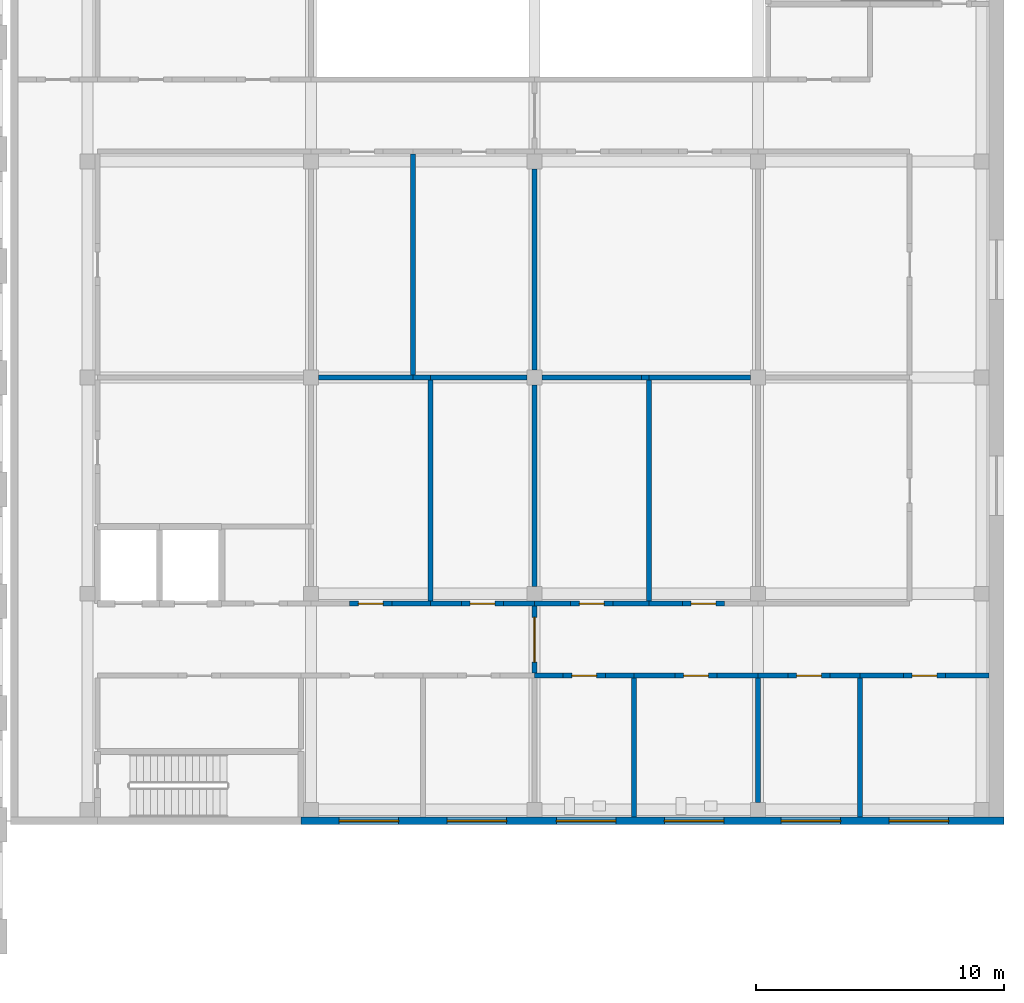
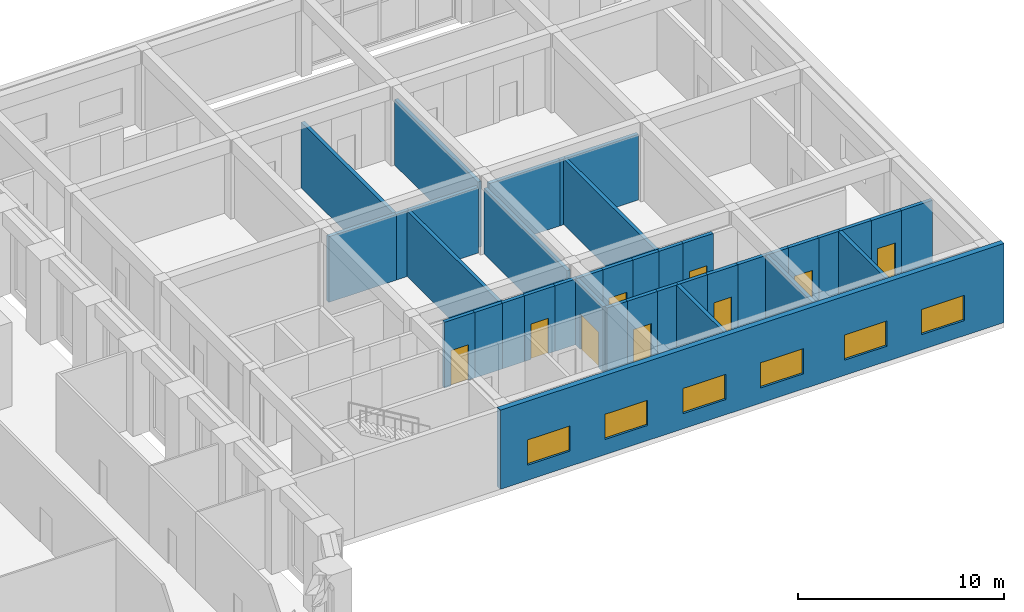
# One storey, part 16 of 25: 38 walls, 9 doors, 6 windows, 15 openings.
"""IFC4 building model written with IfcOpenShell, lengths in metres."""

from ifc_helpers import new_model, si_unit, direction, frame, frame_2d, origin, place, context, subcontext, project, spatial, rectangle, extrude, material, layer, layer_set, type_object, element, fill, save


model = new_model("IFC4")

# Units and contexts
model_context = context("Model", 3, precision=1e-05, world=origin(), true_north=direction((0.0, 1.0)))
body_context = subcontext(model_context, "Body", "Model", "MODEL_VIEW")
ifc_project = project(units=[si_unit("LENGTHUNIT", "METRE"), si_unit("AREAUNIT", "SQUARE_METRE"), si_unit("VOLUMEUNIT", "CUBIC_METRE"), si_unit("PLANEANGLEUNIT", "RADIAN"), si_unit("MASSUNIT", "GRAM", prefix="KILO")], contexts=[model_context])

# Site, building, storey
site_placement = place(None, origin())
site = spatial("IfcSite", under=ifc_project, at=site_placement, CompositionType="ELEMENT")
building_placement = place(site_placement, origin())
building = spatial("IfcBuilding", under=site, at=building_placement, Name="Girih Gate Residences", CompositionType="ELEMENT")
storey_placement = place(building_placement, frame((0.0, 0.0, 6.0)))
storey = spatial("IfcBuildingStorey", under=building, at=storey_placement, Name="L01", CompositionType="ELEMENT", Elevation=6.0)

# Wall
ifc_material_1 = material(Name="Fire-rated gypsum partition")
ifc_layer_1 = layer(ifc_material_1, 0.199951171875)
ifc_layer_set_1 = layer_set([ifc_layer_1], Name="HC Corridor wall 200 EI 60")
wall_type_1 = type_object("IfcWallType", Name="HC Corridor wall 200 EI 60", PredefinedType="PARTITIONING", material=ifc_layer_set_1)
wall_1_placement = place(storey_placement, frame((71.449951171875, 15.0, 0.0), z_axis=(0.0, 0.0, 1.0), x_axis=(1.0, 0.0, 0.0)))
element("IfcWall", 1, at=wall_1_placement, inside=storey, type_object=wall_type_1, Name="L01 wall x15.00/71.5", PredefinedType="PARTITIONING", context=body_context, shape_type="SweptSolid", body=[
    extrude(rectangle(XDim=1.150146484375, YDim=0.199951171875, at=frame_2d((0.5751953125, 0.0))), origin(), (0.0, 0.0, 1.0), 3.89990234375),
])

# Wall, opening, door
wall_2_placement = place(storey_placement, frame((74.300048828125, 15.0, 0.0), z_axis=(0.0, 0.0, 1.0), x_axis=(-1.0, 0.0, 0.0)))
wall_2 = element("IfcWall", 2, at=wall_2_placement, inside=storey, type_object=wall_type_1, Name="L01 wall x15.00/72.6", PredefinedType="PARTITIONING", context=body_context, shape_type="SweptSolid", body=[
    extrude(rectangle(XDim=1.699951171875, YDim=0.199951171875, at=frame_2d((0.85009765625, 0.0))), origin(), (0.0, 0.0, 1.0), 3.89990234375),
])
opening_1_placement = place(wall_2_placement, frame((0.35009765625, 0.0, 0.0)))
opening_1 = element("IfcOpeningElement", 3, at=opening_1_placement, cuts=wall_2, Name="Opening HC-L01-D10", PredefinedType="OPENING", context=body_context, shape_type="SweptSolid", body=[
    extrude(rectangle(XDim=1.0, YDim=2.10009765625, at=frame_2d((0.5, 1.050048828125))), frame((0.0, 0.10986328125, 0.0), z_axis=(0.0, -1.0, 0.0), x_axis=(1.0, 0.0, 0.0)), (0.0, 0.0, 1.0), 0.219970703125),
])
ifc_material_2 = material(Name="Timber door set", Category="wood")
door_type_1 = type_object("IfcDoorType", Name="HC Door 1000x2100 FD30S", OperationType="NOTDEFINED", PredefinedType="DOOR", material=ifc_material_2)
door_1_placement = place(opening_1_placement, origin())
door_1 = element("IfcDoor", 4, at=door_1_placement, inside=storey, type_object=door_type_1, Name="L01 Accessible WC door", OperationType="SINGLE_SWING_LEFT", OverallHeight=2.10009765625, OverallWidth=1.0, PredefinedType="DOOR", context=body_context, shape_type="SweptSolid", body=[
    extrude(rectangle(XDim=1.0, YDim=2.10009765625, at=frame_2d((0.5, 1.050048828125))), frame((0.0, 0.02490234375, 0.0), z_axis=(0.0, -1.0, 0.0), x_axis=(1.0, 0.0, 0.0)), (0.0, 0.0, 1.0), 0.050048828125),
])
fill(opening_1, door_1)

# Walls
wall_3_placement = place(storey_placement, frame((74.300048828125, 15.0, 0.0), z_axis=(0.0, 0.0, 1.0), x_axis=(1.0, 0.0, 0.0)))
element("IfcWall", 5, at=wall_3_placement, inside=storey, type_object=wall_type_1, Name="L01 wall x15.00/74.3", PredefinedType="PARTITIONING", context=body_context, shape_type="SweptSolid", body=[
    extrude(rectangle(XDim=1.14990234375, YDim=0.199951171875, at=frame_2d((0.574951171875, 0.0))), origin(), (0.0, 0.0, 1.0), 3.89990234375),
])
wall_4_placement = place(storey_placement, frame((75.449951171875, 15.0, 0.0), z_axis=(0.0, 0.0, 1.0), x_axis=(1.0, 0.0, 0.0)))
element("IfcWall", 6, at=wall_4_placement, inside=storey, type_object=wall_type_1, Name="L01 wall x15.00/75.5", PredefinedType="PARTITIONING", context=body_context, shape_type="SweptSolid", body=[
    extrude(rectangle(XDim=1.650146484375, YDim=0.199951171875, at=frame_2d((0.8251953125, 0.0))), origin(), (0.0, 0.0, 1.0), 3.89990234375),
])

# Wall, opening, door
wall_5_placement = place(storey_placement, frame((78.800048828125, 15.0, 0.0), z_axis=(0.0, 0.0, 1.0), x_axis=(-1.0, 0.0, 0.0)))
wall_5 = element("IfcWall", 7, at=wall_5_placement, inside=storey, type_object=wall_type_1, Name="L01 wall x15.00/77.1", PredefinedType="PARTITIONING", context=body_context, shape_type="SweptSolid", body=[
    extrude(rectangle(XDim=1.699951171875, YDim=0.199951171875, at=frame_2d((0.85009765625, 0.0))), origin(), (0.0, 0.0, 1.0), 3.89990234375),
])
opening_2_placement = place(wall_5_placement, frame((0.35009765625, 0.0, 0.0)))
opening_2 = element("IfcOpeningElement", 8, at=opening_2_placement, cuts=wall_5, Name="Opening HC-L01-D11", PredefinedType="OPENING", context=body_context, shape_type="SweptSolid", body=[
    extrude(rectangle(XDim=1.0, YDim=2.10009765625, at=frame_2d((0.5, 1.050048828125))), frame((0.0, 0.10986328125, 0.0), z_axis=(0.0, -1.0, 0.0), x_axis=(1.0, 0.0, 0.0)), (0.0, 0.0, 1.0), 0.219970703125),
])
door_2_placement = place(opening_2_placement, origin())
door_2 = element("IfcDoor", 9, at=door_2_placement, inside=storey, type_object=door_type_1, Name="L01 Public WC door", OperationType="SINGLE_SWING_RIGHT", OverallHeight=2.10009765625, OverallWidth=1.0, PredefinedType="DOOR", context=body_context, shape_type="SweptSolid", body=[
    extrude(rectangle(XDim=1.0, YDim=2.10009765625, at=frame_2d((0.5, 1.050048828125))), frame((0.0, 0.02490234375, 0.0), z_axis=(0.0, -1.0, 0.0), x_axis=(1.0, 0.0, 0.0)), (0.0, 0.0, 1.0), 0.050048828125),
])
fill(opening_2, door_2)

# Walls
wall_6_placement = place(storey_placement, frame((78.800048828125, 15.0, 0.0), z_axis=(0.0, 0.0, 1.0), x_axis=(1.0, 0.0, 0.0)))
element("IfcWall", 10, at=wall_6_placement, inside=storey, type_object=wall_type_1, Name="L01 wall x15.00/78.8", PredefinedType="PARTITIONING", context=body_context, shape_type="SweptSolid", body=[
    extrude(rectangle(XDim=1.64990234375, YDim=0.199951171875, at=frame_2d((0.824951171875, 0.0))), origin(), (0.0, 0.0, 1.0), 3.89990234375),
])
wall_7_placement = place(storey_placement, frame((80.449951171875, 15.0, 0.0), z_axis=(0.0, 0.0, 1.0), x_axis=(1.0, 0.0, 0.0)))
element("IfcWall", 11, at=wall_7_placement, inside=storey, type_object=wall_type_1, Name="L01 wall x15.00/80.5", PredefinedType="PARTITIONING", context=body_context, shape_type="SweptSolid", body=[
    extrude(rectangle(XDim=1.199951171875, YDim=0.199951171875, at=frame_2d((0.60009765625, 0.0))), origin(), (0.0, 0.0, 1.0), 3.89990234375),
])

# Wall, opening, door
wall_8_placement = place(storey_placement, frame((83.35009765625, 15.0, 0.0), z_axis=(0.0, 0.0, 1.0), x_axis=(-1.0, 0.0, 0.0)))
wall_8 = element("IfcWall", 12, at=wall_8_placement, inside=storey, type_object=wall_type_1, Name="L01 wall x15.00/81.7", PredefinedType="PARTITIONING", context=body_context, shape_type="SweptSolid", body=[
    extrude(rectangle(XDim=1.7001953125, YDim=0.199951171875, at=frame_2d((0.85009765625, 0.0))), origin(), (0.0, 0.0, 1.0), 3.89990234375),
])
opening_3_placement = place(wall_8_placement, frame((0.35009765625, 0.0, 0.0)))
opening_3 = element("IfcOpeningElement", 13, at=opening_3_placement, cuts=wall_8, Name="Opening HC-L01-D12", PredefinedType="OPENING", context=body_context, shape_type="SweptSolid", body=[
    extrude(rectangle(XDim=1.0, YDim=2.10009765625, at=frame_2d((0.5, 1.050048828125))), frame((0.0, 0.10986328125, 0.0), z_axis=(0.0, -1.0, 0.0), x_axis=(1.0, 0.0, 0.0)), (0.0, 0.0, 1.0), 0.219970703125),
])
door_3_placement = place(opening_3_placement, origin())
door_3 = element("IfcDoor", 14, at=door_3_placement, inside=storey, type_object=door_type_1, Name="L01 Imaging reporting room door", OperationType="SINGLE_SWING_LEFT", OverallHeight=2.10009765625, OverallWidth=1.0, PredefinedType="DOOR", context=body_context, shape_type="SweptSolid", body=[
    extrude(rectangle(XDim=1.0, YDim=2.10009765625, at=frame_2d((0.5, 1.050048828125))), frame((0.0, 0.02490234375, 0.0), z_axis=(0.0, -1.0, 0.0), x_axis=(1.0, 0.0, 0.0)), (0.0, 0.0, 1.0), 0.050048828125),
])
fill(opening_3, door_3)

# Walls
wall_9_placement = place(storey_placement, frame((83.35009765625, 15.0, 0.0), z_axis=(0.0, 0.0, 1.0), x_axis=(1.0, 0.0, 0.0)))
element("IfcWall", 15, at=wall_9_placement, inside=storey, type_object=wall_type_1, Name="L01 wall x15.00/83.3", PredefinedType="PARTITIONING", context=body_context, shape_type="SweptSolid", body=[
    extrude(rectangle(XDim=1.199951171875, YDim=0.199951171875, at=frame_2d((0.60009765625, 0.0))), origin(), (0.0, 0.0, 1.0), 3.89990234375),
])
wall_10_placement = place(storey_placement, frame((84.550048828125, 15.0, 0.0), z_axis=(0.0, 0.0, 1.0), x_axis=(1.0, 0.0, 0.0)))
element("IfcWall", 16, at=wall_10_placement, inside=storey, type_object=wall_type_1, Name="L01 wall x15.00/84.5", PredefinedType="PARTITIONING", context=body_context, shape_type="SweptSolid", body=[
    extrude(rectangle(XDim=1.75, YDim=0.199951171875, at=frame_2d((0.875, 0.0))), origin(), (0.0, 0.0, 1.0), 3.89990234375),
])

# Wall, opening, door
wall_11_placement = place(storey_placement, frame((88.0, 15.0, 0.0), z_axis=(0.0, 0.0, 1.0), x_axis=(-1.0, 0.0, 0.0)))
wall_11 = element("IfcWall", 17, at=wall_11_placement, inside=storey, type_object=wall_type_1, Name="L01 wall x15.00/86.3", PredefinedType="PARTITIONING", context=body_context, shape_type="SweptSolid", body=[
    extrude(rectangle(XDim=1.699951171875, YDim=0.199951171875, at=frame_2d((0.85009765625, 0.0))), origin(), (0.0, 0.0, 1.0), 3.89990234375),
])
opening_4_placement = place(wall_11_placement, frame((0.35009765625, 0.0, 0.0)))
opening_4 = element("IfcOpeningElement", 18, at=opening_4_placement, cuts=wall_11, Name="Opening HC-L01-D13", PredefinedType="OPENING", context=body_context, shape_type="SweptSolid", body=[
    extrude(rectangle(XDim=1.0, YDim=2.10009765625, at=frame_2d((0.5, 1.050048828125))), frame((0.0, 0.10986328125, 0.0), z_axis=(0.0, -1.0, 0.0), x_axis=(1.0, 0.0, 0.0)), (0.0, 0.0, 1.0), 0.219970703125),
])
door_4_placement = place(opening_4_placement, origin())
door_4 = element("IfcDoor", 19, at=door_4_placement, inside=storey, type_object=door_type_1, Name="L01 Radiographer base door", OperationType="SINGLE_SWING_RIGHT", OverallHeight=2.10009765625, OverallWidth=1.0, PredefinedType="DOOR", context=body_context, shape_type="SweptSolid", body=[
    extrude(rectangle(XDim=1.0, YDim=2.10009765625, at=frame_2d((0.5, 1.050048828125))), frame((0.0, 0.02490234375, 0.0), z_axis=(0.0, -1.0, 0.0), x_axis=(1.0, 0.0, 0.0)), (0.0, 0.0, 1.0), 0.050048828125),
])
fill(opening_4, door_4)

# Wall
wall_12_placement = place(storey_placement, frame((88.0, 15.0, 0.0), z_axis=(0.0, 0.0, 1.0), x_axis=(1.0, 0.0, 0.0)))
element("IfcWall", 20, at=wall_12_placement, inside=storey, type_object=wall_type_1, Name="L01 wall x15.00/88.0", PredefinedType="PARTITIONING", context=body_context, shape_type="SweptSolid", body=[
    extrude(rectangle(XDim=1.75, YDim=0.199951171875, at=frame_2d((0.875, 0.0))), origin(), (0.0, 0.0, 1.0), 3.89990234375),
])

# Wall, opening, door
wall_13_placement = place(storey_placement, frame((64.0, 17.89990234375, 0.0), z_axis=(0.0, 0.0, 1.0), x_axis=(1.0, 0.0, 0.0)))
wall_13 = element("IfcWall", 21, at=wall_13_placement, inside=storey, type_object=wall_type_1, Name="L01 wall x17.90/64.0", PredefinedType="PARTITIONING", context=body_context, shape_type="SweptSolid", body=[
    extrude(rectangle(XDim=1.699951171875, YDim=0.199951171875, at=frame_2d((0.85009765625, 0.0))), origin(), (0.0, 0.0, 1.0), 3.89990234375),
])
opening_5_placement = place(wall_13_placement, frame((0.35009765625, 0.0, 0.0)))
opening_5 = element("IfcOpeningElement", 22, at=opening_5_placement, cuts=wall_13, Name="Opening HC-L01-D16", PredefinedType="OPENING", context=body_context, shape_type="SweptSolid", body=[
    extrude(rectangle(XDim=1.0, YDim=2.10009765625, at=frame_2d((0.5, 1.050048828125))), frame((0.0, 0.10986328125, 0.0), z_axis=(0.0, -1.0, 0.0), x_axis=(1.0, 0.0, 0.0)), (0.0, 0.0, 1.0), 0.219970703125),
])
door_5_placement = place(opening_5_placement, origin())
door_5 = element("IfcDoor", 23, at=door_5_placement, inside=storey, type_object=door_type_1, Name="L01 X-ray room 1 door", OperationType="SINGLE_SWING_RIGHT", OverallHeight=2.10009765625, OverallWidth=1.0, PredefinedType="DOOR", context=body_context, shape_type="SweptSolid", body=[
    extrude(rectangle(XDim=1.0, YDim=2.10009765625, at=frame_2d((0.5, 1.050048828125))), frame((0.0, 0.02490234375, 0.0), z_axis=(0.0, -1.0, 0.0), x_axis=(1.0, 0.0, 0.0)), (0.0, 0.0, 1.0), 0.050048828125),
])
fill(opening_5, door_5)

# Walls
wall_14_placement = place(storey_placement, frame((65.699951171875, 17.89990234375, 0.0), z_axis=(0.0, 0.0, 1.0), x_axis=(1.0, 0.0, 0.0)))
element("IfcWall", 24, at=wall_14_placement, inside=storey, type_object=wall_type_1, Name="L01 wall x17.90/65.7", PredefinedType="PARTITIONING", context=body_context, shape_type="SweptSolid", body=[
    extrude(rectangle(XDim=1.550048828125, YDim=0.199951171875, at=frame_2d((0.77490234375, 0.0))), origin(), (0.0, 0.0, 1.0), 3.89990234375),
])
wall_15_placement = place(storey_placement, frame((67.25, 17.89990234375, 0.0), z_axis=(0.0, 0.0, 1.0), x_axis=(1.0, 0.0, 0.0)))
element("IfcWall", 25, at=wall_15_placement, inside=storey, type_object=wall_type_1, Name="L01 wall x17.90/67.2", PredefinedType="PARTITIONING", context=body_context, shape_type="SweptSolid", body=[
    extrude(rectangle(XDim=1.25, YDim=0.199951171875, at=frame_2d((0.625, 0.0))), origin(), (0.0, 0.0, 1.0), 3.89990234375),
])

# Wall, opening, door
wall_16_placement = place(storey_placement, frame((68.5, 17.89990234375, 0.0), z_axis=(0.0, 0.0, 1.0), x_axis=(1.0, 0.0, 0.0)))
wall_16 = element("IfcWall", 26, at=wall_16_placement, inside=storey, type_object=wall_type_1, Name="L01 wall x17.90/68.5", PredefinedType="PARTITIONING", context=body_context, shape_type="SweptSolid", body=[
    extrude(rectangle(XDim=1.699951171875, YDim=0.199951171875, at=frame_2d((0.85009765625, 0.0))), origin(), (0.0, 0.0, 1.0), 3.89990234375),
])
opening_6_placement = place(wall_16_placement, frame((0.35009765625, 0.0, 0.0)))
opening_6 = element("IfcOpeningElement", 27, at=opening_6_placement, cuts=wall_16, Name="Opening HC-L01-D17", PredefinedType="OPENING", context=body_context, shape_type="SweptSolid", body=[
    extrude(rectangle(XDim=1.0, YDim=2.10009765625, at=frame_2d((0.5, 1.050048828125))), frame((0.0, 0.10986328125, 0.0), z_axis=(0.0, -1.0, 0.0), x_axis=(1.0, 0.0, 0.0)), (0.0, 0.0, 1.0), 0.219970703125),
])
door_6_placement = place(opening_6_placement, origin())
door_6 = element("IfcDoor", 28, at=door_6_placement, inside=storey, type_object=door_type_1, Name="L01 X-ray room 2 door", OperationType="SINGLE_SWING_LEFT", OverallHeight=2.10009765625, OverallWidth=1.0, PredefinedType="DOOR", context=body_context, shape_type="SweptSolid", body=[
    extrude(rectangle(XDim=1.0, YDim=2.10009765625, at=frame_2d((0.5, 1.050048828125))), frame((0.0, 0.02490234375, 0.0), z_axis=(0.0, -1.0, 0.0), x_axis=(1.0, 0.0, 0.0)), (0.0, 0.0, 1.0), 0.050048828125),
])
fill(opening_6, door_6)

# Walls
wall_17_placement = place(storey_placement, frame((70.199951171875, 17.89990234375, 0.0), z_axis=(0.0, 0.0, 1.0), x_axis=(1.0, 0.0, 0.0)))
element("IfcWall", 29, at=wall_17_placement, inside=storey, type_object=wall_type_1, Name="L01 wall x17.90/70.2", PredefinedType="PARTITIONING", context=body_context, shape_type="SweptSolid", body=[
    extrude(rectangle(XDim=1.25, YDim=0.199951171875, at=frame_2d((0.625, 0.0))), origin(), (0.0, 0.0, 1.0), 3.89990234375),
])
wall_18_placement = place(storey_placement, frame((71.449951171875, 17.89990234375, 0.0), z_axis=(0.0, 0.0, 1.0), x_axis=(1.0, 0.0, 0.0)))
element("IfcWall", 30, at=wall_18_placement, inside=storey, type_object=wall_type_1, Name="L01 wall x17.90/71.5", PredefinedType="PARTITIONING", context=body_context, shape_type="SweptSolid", body=[
    extrude(rectangle(XDim=1.449951171875, YDim=0.199951171875, at=frame_2d((0.72509765625, 0.0))), origin(), (0.0, 0.0, 1.0), 3.89990234375),
])

# Wall, opening, door
wall_19_placement = place(storey_placement, frame((72.89990234375, 17.89990234375, 0.0), z_axis=(0.0, 0.0, 1.0), x_axis=(1.0, 0.0, 0.0)))
wall_19 = element("IfcWall", 31, at=wall_19_placement, inside=storey, type_object=wall_type_1, Name="L01 wall x17.90/72.9", PredefinedType="PARTITIONING", context=body_context, shape_type="SweptSolid", body=[
    extrude(rectangle(XDim=1.7001953125, YDim=0.199951171875, at=frame_2d((0.85009765625, 0.0))), origin(), (0.0, 0.0, 1.0), 3.89990234375),
])
opening_7_placement = place(wall_19_placement, frame((0.35009765625, 0.0, 0.0)))
opening_7 = element("IfcOpeningElement", 32, at=opening_7_placement, cuts=wall_19, Name="Opening HC-L01-D18", PredefinedType="OPENING", context=body_context, shape_type="SweptSolid", body=[
    extrude(rectangle(XDim=1.0, YDim=2.10009765625, at=frame_2d((0.5, 1.050048828125))), frame((0.0, 0.10986328125, 0.0), z_axis=(0.0, -1.0, 0.0), x_axis=(1.0, 0.0, 0.0)), (0.0, 0.0, 1.0), 0.219970703125),
])
door_7_placement = place(opening_7_placement, origin())
door_7 = element("IfcDoor", 33, at=door_7_placement, inside=storey, type_object=door_type_1, Name="L01 Ultrasound room 2 door", OperationType="SINGLE_SWING_RIGHT", OverallHeight=2.10009765625, OverallWidth=1.0, PredefinedType="DOOR", context=body_context, shape_type="SweptSolid", body=[
    extrude(rectangle(XDim=1.0, YDim=2.10009765625, at=frame_2d((0.5, 1.050048828125))), frame((0.0, 0.02490234375, 0.0), z_axis=(0.0, -1.0, 0.0), x_axis=(1.0, 0.0, 0.0)), (0.0, 0.0, 1.0), 0.050048828125),
])
fill(opening_7, door_7)

# Walls
wall_20_placement = place(storey_placement, frame((74.60009765625, 17.89990234375, 0.0), z_axis=(0.0, 0.0, 1.0), x_axis=(1.0, 0.0, 0.0)))
element("IfcWall", 34, at=wall_20_placement, inside=storey, type_object=wall_type_1, Name="L01 wall x17.90/74.6", PredefinedType="PARTITIONING", context=body_context, shape_type="SweptSolid", body=[
    extrude(rectangle(XDim=1.449951171875, YDim=0.199951171875, at=frame_2d((0.72509765625, 0.0))), origin(), (0.0, 0.0, 1.0), 3.89990234375),
])
wall_21_placement = place(storey_placement, frame((76.050048828125, 17.89990234375, 0.0), z_axis=(0.0, 0.0, 1.0), x_axis=(1.0, 0.0, 0.0)))
element("IfcWall", 35, at=wall_21_placement, inside=storey, type_object=wall_type_1, Name="L01 wall x17.90/76.0", PredefinedType="PARTITIONING", context=body_context, shape_type="SweptSolid", body=[
    extrude(rectangle(XDim=1.349853515625, YDim=0.199951171875, at=frame_2d((0.6748046875, 0.0))), origin(), (0.0, 0.0, 1.0), 3.89990234375),
])

# Wall, opening, door
wall_22_placement = place(storey_placement, frame((77.39990234375, 17.89990234375, 0.0), z_axis=(0.0, 0.0, 1.0), x_axis=(1.0, 0.0, 0.0)))
wall_22 = element("IfcWall", 36, at=wall_22_placement, inside=storey, type_object=wall_type_1, Name="L01 wall x17.90/77.4", PredefinedType="PARTITIONING", context=body_context, shape_type="SweptSolid", body=[
    extrude(rectangle(XDim=1.7001953125, YDim=0.199951171875, at=frame_2d((0.85009765625, 0.0))), origin(), (0.0, 0.0, 1.0), 3.89990234375),
])
opening_8_placement = place(wall_22_placement, frame((0.35009765625, 0.0, 0.0)))
opening_8 = element("IfcOpeningElement", 37, at=opening_8_placement, cuts=wall_22, Name="Opening HC-L01-D19", PredefinedType="OPENING", context=body_context, shape_type="SweptSolid", body=[
    extrude(rectangle(XDim=1.0, YDim=2.10009765625, at=frame_2d((0.5, 1.050048828125))), frame((0.0, 0.10986328125, 0.0), z_axis=(0.0, -1.0, 0.0), x_axis=(1.0, 0.0, 0.0)), (0.0, 0.0, 1.0), 0.219970703125),
])
door_8_placement = place(opening_8_placement, origin())
door_8 = element("IfcDoor", 38, at=door_8_placement, inside=storey, type_object=door_type_1, Name="L01 Control and reporting room door", OperationType="SINGLE_SWING_LEFT", OverallHeight=2.10009765625, OverallWidth=1.0, PredefinedType="DOOR", context=body_context, shape_type="SweptSolid", body=[
    extrude(rectangle(XDim=1.0, YDim=2.10009765625, at=frame_2d((0.5, 1.050048828125))), frame((0.0, 0.02490234375, 0.0), z_axis=(0.0, -1.0, 0.0), x_axis=(1.0, 0.0, 0.0)), (0.0, 0.0, 1.0), 0.050048828125),
])
fill(opening_8, door_8)

wall_23_placement = place(storey_placement, frame((71.449951171875, 17.800048828125, 0.0), z_axis=(0.0, 0.0, 1.0), x_axis=(0.0, -1.0, 0.0)))
wall_23 = element("IfcWall", 39, at=wall_23_placement, inside=storey, type_object=wall_type_1, Name="L01 wall y71.45/15.1", PredefinedType="PARTITIONING", context=body_context, shape_type="SweptSolid", body=[
    extrude(rectangle(XDim=2.699951171875, YDim=0.199951171875, at=frame_2d((1.35009765625, 0.0))), origin(), (0.0, 0.0, 1.0), 3.89990234375),
])
opening_9_placement = place(wall_23_placement, frame((0.449951171875, 0.0, 0.0)))
opening_9 = element("IfcOpeningElement", 40, at=opening_9_placement, cuts=wall_23, Name="Opening HC-L01-D05", PredefinedType="OPENING", context=body_context, shape_type="SweptSolid", body=[
    extrude(rectangle(XDim=1.800048828125, YDim=2.10009765625, at=frame_2d((0.89990234375, 1.050048828125))), frame((0.0, 0.10986328125, 0.0), z_axis=(0.0, -1.0, 0.0), x_axis=(1.0, 0.0, 0.0)), (0.0, 0.0, 1.0), 0.219970703125),
])
door_type_2 = type_object("IfcDoorType", Name="HC Corridor fire door pair 1800x2100 FD30S", OperationType="NOTDEFINED", PredefinedType="DOOR", material=ifc_material_2)
door_9_placement = place(opening_9_placement, origin())
door_9 = element("IfcDoor", 41, at=door_9_placement, inside=storey, type_object=door_type_2, Name="L01 corridor south fire door pair", OperationType="DOUBLE_DOOR_DOUBLE_SWING", OverallHeight=2.10009765625, OverallWidth=1.800048828125, PredefinedType="DOOR", context=body_context, shape_type="SweptSolid", body=[
    extrude(rectangle(XDim=1.800048828125, YDim=2.10009765625, at=frame_2d((0.89990234375, 1.050048828125))), frame((0.0, 0.02490234375, 0.0), z_axis=(0.0, -1.0, 0.0), x_axis=(1.0, 0.0, 0.0)), (0.0, 0.0, 1.0), 0.050048828125),
])
fill(opening_9, door_9)

# Wall, openings, windows
ifc_material_3 = material(Name="Precast concrete C40/50", Category="concrete")
ifc_layer_2 = layer(ifc_material_3, 0.300048828125)
ifc_layer_set_2 = layer_set([ifc_layer_2], Name="HC Facade wall 300")
wall_type_2 = type_object("IfcWallType", Name="HC Facade wall 300", PredefinedType="SOLIDWALL", material=ifc_layer_set_2)
wall_24_placement = place(storey_placement, frame((90.35009765625, 9.14990234375, 0.0), z_axis=(0.0, 0.0, 1.0), x_axis=(-1.0, 0.0, 0.0)))
wall_24 = element("IfcWall", 42, at=wall_24_placement, inside=storey, type_object=wall_type_2, Name="L01 south facade wall", PredefinedType="SOLIDWALL", context=body_context, shape_type="SweptSolid", body=[
    extrude(rectangle(XDim=28.300048828125, YDim=0.300048828125, at=frame_2d((14.14990234375, 0.0))), origin(), (0.0, 0.0, 1.0), 4.699951171875),
])
opening_10_placement = place(wall_24_placement, frame((2.22509765625, 0.0, 0.89990234375)))
opening_10 = element("IfcOpeningElement", 43, at=opening_10_placement, cuts=wall_24, Name="Opening HC-W-L01-S06", PredefinedType="OPENING", context=body_context, shape_type="SweptSolid", body=[
    extrude(rectangle(XDim=2.39990234375, YDim=1.5, at=frame_2d((1.199951171875, 0.75))), frame((0.0, 0.159912109375, 0.0), z_axis=(0.0, -1.0, 0.0), x_axis=(1.0, 0.0, 0.0)), (0.0, 0.0, 1.0), 0.320068359375),
])
opening_11_placement = place(wall_24_placement, frame((6.574951171875, 0.0, 0.89990234375)))
opening_11 = element("IfcOpeningElement", 44, at=opening_11_placement, cuts=wall_24, Name="Opening HC-W-L01-S05", PredefinedType="OPENING", context=body_context, shape_type="SweptSolid", body=[
    extrude(rectangle(XDim=2.39990234375, YDim=1.5, at=frame_2d((1.199951171875, 0.75))), frame((0.0, 0.159912109375, 0.0), z_axis=(0.0, -1.0, 0.0), x_axis=(1.0, 0.0, 0.0)), (0.0, 0.0, 1.0), 0.320068359375),
])
opening_12_placement = place(wall_24_placement, frame((11.27490234375, 0.0, 0.89990234375)))
opening_12 = element("IfcOpeningElement", 45, at=opening_12_placement, cuts=wall_24, Name="Opening HC-W-L01-S04", PredefinedType="OPENING", context=body_context, shape_type="SweptSolid", body=[
    extrude(rectangle(XDim=2.39990234375, YDim=1.5, at=frame_2d((1.199951171875, 0.75))), frame((0.0, 0.159912109375, 0.0), z_axis=(0.0, -1.0, 0.0), x_axis=(1.0, 0.0, 0.0)), (0.0, 0.0, 1.0), 0.320068359375),
])
opening_13_placement = place(wall_24_placement, frame((15.625, 0.0, 0.89990234375)))
opening_13 = element("IfcOpeningElement", 46, at=opening_13_placement, cuts=wall_24, Name="Opening HC-W-L01-S03", PredefinedType="OPENING", context=body_context, shape_type="SweptSolid", body=[
    extrude(rectangle(XDim=2.39990234375, YDim=1.5, at=frame_2d((1.199951171875, 0.75))), frame((0.0, 0.159912109375, 0.0), z_axis=(0.0, -1.0, 0.0), x_axis=(1.0, 0.0, 0.0)), (0.0, 0.0, 1.0), 0.320068359375),
])
opening_14_placement = place(wall_24_placement, frame((20.02490234375, 0.0, 0.89990234375)))
opening_14 = element("IfcOpeningElement", 47, at=opening_14_placement, cuts=wall_24, Name="Opening HC-W-L01-S02", PredefinedType="OPENING", context=body_context, shape_type="SweptSolid", body=[
    extrude(rectangle(XDim=2.39990234375, YDim=1.5, at=frame_2d((1.199951171875, 0.75))), frame((0.0, 0.159912109375, 0.0), z_axis=(0.0, -1.0, 0.0), x_axis=(1.0, 0.0, 0.0)), (0.0, 0.0, 1.0), 0.320068359375),
])
opening_15_placement = place(wall_24_placement, frame((24.375, 0.0, 0.89990234375)))
opening_15 = element("IfcOpeningElement", 48, at=opening_15_placement, cuts=wall_24, Name="Opening HC-W-L01-S01", PredefinedType="OPENING", context=body_context, shape_type="SweptSolid", body=[
    extrude(rectangle(XDim=2.39990234375, YDim=1.5, at=frame_2d((1.199951171875, 0.75))), frame((0.0, 0.159912109375, 0.0), z_axis=(0.0, -1.0, 0.0), x_axis=(1.0, 0.0, 0.0)), (0.0, 0.0, 1.0), 0.320068359375),
])
ifc_material_4 = material(Name="Aluminium framed glazing", Category="aluminium")
window_type = type_object("IfcWindowType", Name="HC Window W-4 2400x1500", PartitioningType="DOUBLE_PANEL_VERTICAL", PredefinedType="WINDOW", material=ifc_material_4)
window_1_placement = place(opening_10_placement, origin())
window_1 = element("IfcWindow", 49, at=window_1_placement, inside=storey, type_object=window_type, Name="L01 south window 6", OverallHeight=1.5, OverallWidth=2.39990234375, PartitioningType="DOUBLE_PANEL_VERTICAL", PredefinedType="WINDOW", context=body_context, shape_type="SweptSolid", body=[
    extrude(rectangle(XDim=2.39990234375, YDim=1.5, at=frame_2d((1.199951171875, 0.75))), frame((0.0, 0.030029296875, 0.0), z_axis=(0.0, -1.0, 0.0), x_axis=(1.0, 0.0, 0.0)), (0.0, 0.0, 1.0), 0.06005859375),
])
fill(opening_10, window_1)
window_2_placement = place(opening_11_placement, origin())
window_2 = element("IfcWindow", 50, at=window_2_placement, inside=storey, type_object=window_type, Name="L01 south window 5", OverallHeight=1.5, OverallWidth=2.39990234375, PartitioningType="DOUBLE_PANEL_VERTICAL", PredefinedType="WINDOW", context=body_context, shape_type="SweptSolid", body=[
    extrude(rectangle(XDim=2.39990234375, YDim=1.5, at=frame_2d((1.199951171875, 0.75))), frame((0.0, 0.030029296875, 0.0), z_axis=(0.0, -1.0, 0.0), x_axis=(1.0, 0.0, 0.0)), (0.0, 0.0, 1.0), 0.06005859375),
])
fill(opening_11, window_2)
window_3_placement = place(opening_12_placement, origin())
window_3 = element("IfcWindow", 51, at=window_3_placement, inside=storey, type_object=window_type, Name="L01 south window 4", OverallHeight=1.5, OverallWidth=2.39990234375, PartitioningType="DOUBLE_PANEL_VERTICAL", PredefinedType="WINDOW", context=body_context, shape_type="SweptSolid", body=[
    extrude(rectangle(XDim=2.39990234375, YDim=1.5, at=frame_2d((1.199951171875, 0.75))), frame((0.0, 0.030029296875, 0.0), z_axis=(0.0, -1.0, 0.0), x_axis=(1.0, 0.0, 0.0)), (0.0, 0.0, 1.0), 0.06005859375),
])
fill(opening_12, window_3)
window_4_placement = place(opening_13_placement, origin())
window_4 = element("IfcWindow", 52, at=window_4_placement, inside=storey, type_object=window_type, Name="L01 south window 3", OverallHeight=1.5, OverallWidth=2.39990234375, PartitioningType="DOUBLE_PANEL_VERTICAL", PredefinedType="WINDOW", context=body_context, shape_type="SweptSolid", body=[
    extrude(rectangle(XDim=2.39990234375, YDim=1.5, at=frame_2d((1.199951171875, 0.75))), frame((0.0, 0.030029296875, 0.0), z_axis=(0.0, -1.0, 0.0), x_axis=(1.0, 0.0, 0.0)), (0.0, 0.0, 1.0), 0.06005859375),
])
fill(opening_13, window_4)
window_5_placement = place(opening_14_placement, origin())
window_5 = element("IfcWindow", 53, at=window_5_placement, inside=storey, type_object=window_type, Name="L01 south window 2", OverallHeight=1.5, OverallWidth=2.39990234375, PartitioningType="DOUBLE_PANEL_VERTICAL", PredefinedType="WINDOW", context=body_context, shape_type="SweptSolid", body=[
    extrude(rectangle(XDim=2.39990234375, YDim=1.5, at=frame_2d((1.199951171875, 0.75))), frame((0.0, 0.030029296875, 0.0), z_axis=(0.0, -1.0, 0.0), x_axis=(1.0, 0.0, 0.0)), (0.0, 0.0, 1.0), 0.06005859375),
])
fill(opening_14, window_5)
window_6_placement = place(opening_15_placement, origin())
window_6 = element("IfcWindow", 54, at=window_6_placement, inside=storey, type_object=window_type, Name="L01 south window 1", OverallHeight=1.5, OverallWidth=2.39990234375, PartitioningType="DOUBLE_PANEL_VERTICAL", PredefinedType="WINDOW", context=body_context, shape_type="SweptSolid", body=[
    extrude(rectangle(XDim=2.39990234375, YDim=1.5, at=frame_2d((1.199951171875, 0.75))), frame((0.0, 0.030029296875, 0.0), z_axis=(0.0, -1.0, 0.0), x_axis=(1.0, 0.0, 0.0)), (0.0, 0.0, 1.0), 0.06005859375),
])
fill(opening_15, window_6)

# Walls
ifc_material_5 = material(Name="Gypsum partition")
ifc_layer_3 = layer(ifc_material_5, 0.199951171875)
ifc_layer_set_3 = layer_set([ifc_layer_3], Name="HC Room partition 200 EI 30")
wall_type_3 = type_object("IfcWallType", Name="HC Room partition 200 EI 30", PredefinedType="PARTITIONING", material=ifc_layer_set_3)
wall_25_placement = place(storey_placement, frame((62.75, 27.0, 0.0), z_axis=(0.0, 0.0, 1.0), x_axis=(1.0, 0.0, 0.0)))
element("IfcWall", 55, at=wall_25_placement, inside=storey, type_object=wall_type_3, Name="L01 wall x27.00/62.8", PredefinedType="PARTITIONING", context=body_context, shape_type="SweptSolid", body=[
    extrude(rectangle(XDim=3.800048828125, YDim=0.199951171875, at=frame_2d((1.89990234375, 0.0))), origin(), (0.0, 0.0, 1.0), 3.89990234375),
])
wall_26_placement = place(storey_placement, frame((66.550048828125, 27.0, 0.0), z_axis=(0.0, 0.0, 1.0), x_axis=(1.0, 0.0, 0.0)))
element("IfcWall", 56, at=wall_26_placement, inside=storey, type_object=wall_type_3, Name="L01 wall x27.00/66.5", PredefinedType="PARTITIONING", context=body_context, shape_type="SweptSolid", body=[
    extrude(rectangle(XDim=0.699951171875, YDim=0.199951171875, at=frame_2d((0.35009765625, 0.0))), origin(), (0.0, 0.0, 1.0), 3.89990234375),
])
wall_27_placement = place(storey_placement, frame((67.25, 27.0, 0.0), z_axis=(0.0, 0.0, 1.0), x_axis=(1.0, 0.0, 0.0)))
element("IfcWall", 57, at=wall_27_placement, inside=storey, type_object=wall_type_3, Name="L01 wall x27.00/67.2", PredefinedType="PARTITIONING", context=body_context, shape_type="SweptSolid", body=[
    extrude(rectangle(XDim=3.89990234375, YDim=0.199951171875, at=frame_2d((1.949951171875, 0.0))), origin(), (0.0, 0.0, 1.0), 3.89990234375),
])
wall_28_placement = place(storey_placement, frame((71.75, 27.0, 0.0), z_axis=(0.0, 0.0, 1.0), x_axis=(1.0, 0.0, 0.0)))
element("IfcWall", 58, at=wall_28_placement, inside=storey, type_object=wall_type_3, Name="L01 wall x27.00/71.8", PredefinedType="PARTITIONING", context=body_context, shape_type="SweptSolid", body=[
    extrude(rectangle(XDim=4.0, YDim=0.199951171875, at=frame_2d((2.0, 0.0))), origin(), (0.0, 0.0, 1.0), 3.89990234375),
])
wall_29_placement = place(storey_placement, frame((75.75, 27.0, 0.0), z_axis=(0.0, 0.0, 1.0), x_axis=(1.0, 0.0, 0.0)))
element("IfcWall", 59, at=wall_29_placement, inside=storey, type_object=wall_type_3, Name="L01 wall x27.00/75.8", PredefinedType="PARTITIONING", context=body_context, shape_type="SweptSolid", body=[
    extrude(rectangle(XDim=0.300048828125, YDim=0.199951171875, at=frame_2d((0.14990234375, 0.0))), origin(), (0.0, 0.0, 1.0), 3.89990234375),
])
wall_30_placement = place(storey_placement, frame((76.050048828125, 27.0, 0.0), z_axis=(0.0, 0.0, 1.0), x_axis=(1.0, 0.0, 0.0)))
element("IfcWall", 60, at=wall_30_placement, inside=storey, type_object=wall_type_3, Name="L01 wall x27.00/76.0", PredefinedType="PARTITIONING", context=body_context, shape_type="SweptSolid", body=[
    extrude(rectangle(XDim=4.099853515625, YDim=0.199951171875, at=frame_2d((2.0498046875, 0.0))), origin(), (0.0, 0.0, 1.0), 3.89990234375),
])
for number, where, z_axis, x_axis, name in (
    (61, (66.550048828125, 27.10009765625, 0.0), (0.0, 0.0, 1.0), (0.0, 1.0, 0.0), "L01 wall y66.55/27.1"),
    (62, (67.25, 18.0, 0.0), (0.0, 0.0, 1.0), (0.0, 1.0, 0.0), "L01 wall y67.25/18.0"),
):
    element("IfcWall", number, at=place(storey_placement, frame(where, z_axis=z_axis, x_axis=x_axis)), inside=storey, type_object=wall_type_3, Name=name, PredefinedType="PARTITIONING", context=body_context, shape_type="SweptSolid", body=[
        extrude(rectangle(XDim=8.89990234375, YDim=0.199951171875, at=frame_2d((4.449951171875, 0.0))), origin(), (0.0, 0.0, 1.0), 3.89990234375),
    ])
for number, where, z_axis, x_axis, name in (
    (63, (71.449951171875, 18.60009765625, 0.0), (0.0, 0.0, 1.0), (0.0, 1.0, 0.0), "L01 wall y71.45/18.6"),
    (64, (71.449951171875, 27.300048828125, 0.0), (0.0, 0.0, 1.0), (0.0, 1.0, 0.0), "L01 wall y71.45/27.3"),
):
    element("IfcWall", number, at=place(storey_placement, frame(where, z_axis=z_axis, x_axis=x_axis)), inside=storey, type_object=wall_type_3, Name=name, PredefinedType="PARTITIONING", context=body_context, shape_type="SweptSolid", body=[
        extrude(rectangle(XDim=8.099853515625, YDim=0.199951171875, at=frame_2d((4.0498046875, 0.0))), origin(), (0.0, 0.0, 1.0), 3.89990234375),
    ])
wall_31_placement = place(storey_placement, frame((75.449951171875, 9.300048828125, 0.0), z_axis=(0.0, 0.0, 1.0), x_axis=(0.0, 1.0, 0.0)))
element("IfcWall", 65, at=wall_31_placement, inside=storey, type_object=wall_type_3, Name="L01 wall y75.45/9.3", PredefinedType="PARTITIONING", context=body_context, shape_type="SweptSolid", body=[
    extrude(rectangle(XDim=5.599853515625, YDim=0.199951171875, at=frame_2d((2.7998046875, 0.0))), origin(), (0.0, 0.0, 1.0), 3.89990234375),
])
wall_32_placement = place(storey_placement, frame((76.050048828125, 18.0, 0.0), z_axis=(0.0, 0.0, 1.0), x_axis=(0.0, 1.0, 0.0)))
element("IfcWall", 66, at=wall_32_placement, inside=storey, type_object=wall_type_3, Name="L01 wall y76.05/18.0", PredefinedType="PARTITIONING", context=body_context, shape_type="SweptSolid", body=[
    extrude(rectangle(XDim=8.89990234375, YDim=0.199951171875, at=frame_2d((4.449951171875, 0.0))), origin(), (0.0, 0.0, 1.0), 3.89990234375),
])
wall_33_placement = place(storey_placement, frame((80.449951171875, 9.89990234375, 0.0), z_axis=(0.0, 0.0, 1.0), x_axis=(0.0, 1.0, 0.0)))
element("IfcWall", 67, at=wall_33_placement, inside=storey, type_object=wall_type_3, Name="L01 wall y80.45/9.9", PredefinedType="PARTITIONING", context=body_context, shape_type="SweptSolid", body=[
    extrude(rectangle(XDim=5.0, YDim=0.199951171875, at=frame_2d((2.5, 0.0))), origin(), (0.0, 0.0, 1.0), 3.89990234375),
])
wall_34_placement = place(storey_placement, frame((84.550048828125, 9.300048828125, 0.0), z_axis=(0.0, 0.0, 1.0), x_axis=(0.0, 1.0, 0.0)))
element("IfcWall", 68, at=wall_34_placement, inside=storey, type_object=wall_type_3, Name="L01 wall y84.55/9.3", PredefinedType="PARTITIONING", context=body_context, shape_type="SweptSolid", body=[
    extrude(rectangle(XDim=5.599853515625, YDim=0.199951171875, at=frame_2d((2.7998046875, 0.0))), origin(), (0.0, 0.0, 1.0), 3.89990234375),
])

save(model, "model.ifc")
